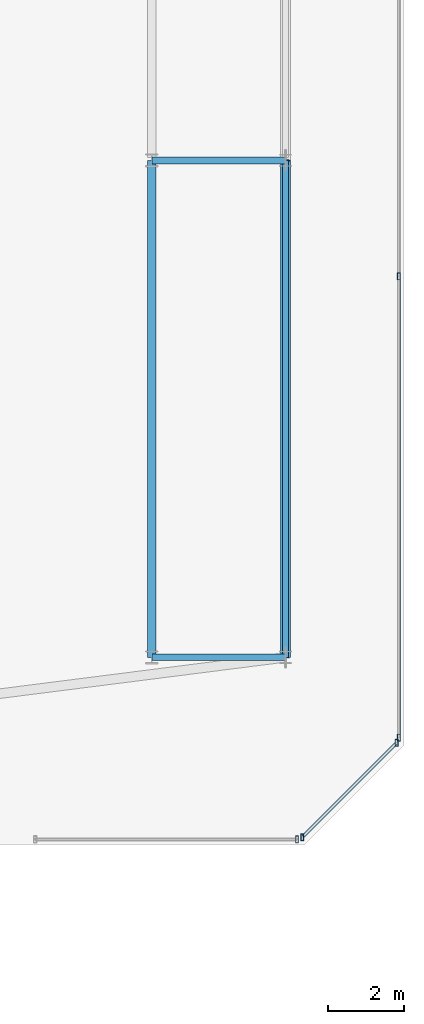
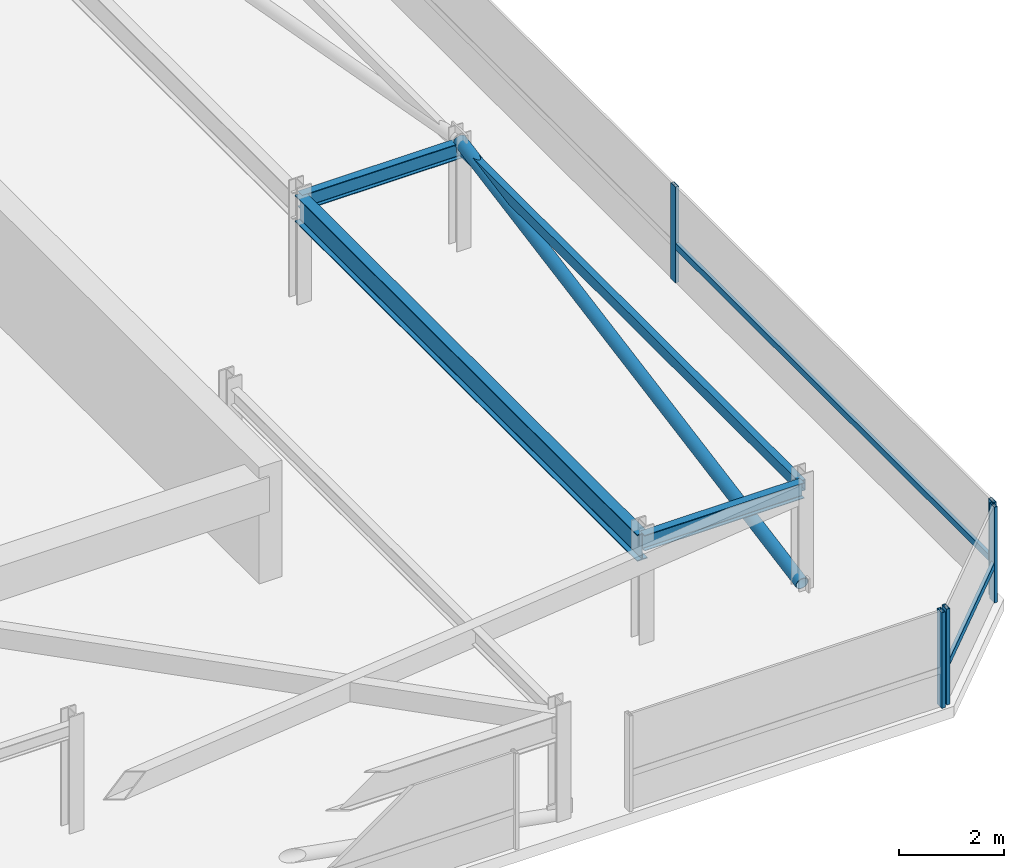
# One storey, part 31 of 42: 8 members, 4 beams, 3 elements without a shape of their own.
"""IFC4 building model written with IfcOpenShell, lengths in metres."""

from ifc_helpers import new_model, si_unit, direction, frame, origin, origin_2d, place, context, subcontext, project, spatial, hollow_rectangle, hollow_circle, i_section, extrude, material, material_profile, profile_set, type_object, element, aggregate, save


model = new_model("IFC4")

# Units and contexts
model_context = context("Model", 3, precision=1e-05, world=origin(), true_north=direction((0.0, 1.0)))
body_context = subcontext(model_context, "Body", "Model", "MODEL_VIEW")
ifc_project = project(units=[si_unit("LENGTHUNIT", "METRE"), si_unit("AREAUNIT", "SQUARE_METRE"), si_unit("VOLUMEUNIT", "CUBIC_METRE"), si_unit("PLANEANGLEUNIT", "RADIAN"), si_unit("MASSUNIT", "GRAM", prefix="KILO")], contexts=[model_context])

# Site, building, storey
site_placement = place(None, origin())
site = spatial("IfcSite", under=ifc_project, at=site_placement, CompositionType="ELEMENT")
building_placement = place(site_placement, origin())
building = spatial("IfcBuilding", under=site, at=building_placement, Name="Thornwick Lancets Civic Towers", CompositionType="ELEMENT")
storey_placement = place(building_placement, frame((0.0, 0.0, 289.5)))
storey = spatial("IfcBuildingStorey", under=building, at=storey_placement, Name="C04", CompositionType="ELEMENT", Elevation=289.5)

# Beams
ifc_material_1 = material(Name="Steel S355JR", Category="steel")
ifc_material_profile_1 = material_profile(ifc_material_1, hollow_rectangle(XDim=0.14990234375, YDim=0.25, WallThickness=0.012451171875, at=origin_2d()), Name="RHS 250x150x12.5")
ifc_profile_set_1 = profile_set([ifc_material_profile_1], Name="Steel S355JR")
beam_type_1 = type_object("IfcBeamType", Name="BM_CROWN_RHS250", PredefinedType="BEAM", material=ifc_profile_set_1)
beam_1_placement = place(storey_placement, frame((109.300048828125, 14.0, 2.31494140625), z_axis=(0.0, 1.0, 0.0), x_axis=(-1.0, 0.0, 0.0)))
element("IfcBeam", 1, at=beam_1_placement, inside=storey, type_object=beam_type_1, Name="BM-EDGE-C04-B-S0-1", PredefinedType="BEAM", context=body_context, shape_type="SweptSolid", body=[
    extrude(hollow_rectangle(XDim=0.14990234375, YDim=0.25, WallThickness=0.012451171875, at=origin_2d()), origin(), (0.0, 0.0, 1.0), 13.0),
])
ifc_material_profile_2 = material_profile(ifc_material_1, i_section(OverallWidth=0.230224609375, OverallDepth=0.6171875, WebThickness=0.01318359375, FlangeThickness=0.022216796875, FilletRadius=0.0126953125, at=origin_2d()), Name="UKB 610x229x140")
ifc_profile_set_2 = profile_set([ifc_material_profile_2], Name="Steel S355JR")
beam_type_2 = type_object("IfcBeamType", Name="BM_GIRD_610_140", PredefinedType="BEAM", material=ifc_profile_set_2)
beam_2_placement = place(storey_placement, frame((105.800048828125, 14.0, 2.13134765625), z_axis=(0.0, 1.0, 0.0), x_axis=(-1.0, 0.0, 0.0)))
element("IfcBeam", 2, at=beam_2_placement, inside=storey, type_object=beam_type_2, Name="BM-SPINE-C04-B-0-1", PredefinedType="BEAM", context=body_context, shape_type="SweptSolid", body=[
    extrude(i_section(OverallWidth=0.230224609375, OverallDepth=0.6171875, WebThickness=0.01318359375, FlangeThickness=0.022216796875, FilletRadius=0.0126953125, at=origin_2d()), origin(), (0.0, 0.0, 1.0), 13.0),
])
ifc_material_profile_3 = material_profile(ifc_material_1, i_section(OverallWidth=0.173095703125, OverallDepth=0.36328125, WebThickness=0.009033203125, FlangeThickness=0.015625, FilletRadius=0.01025390625, at=origin_2d()), Name="UKB 356x171x67")
ifc_profile_set_3 = profile_set([ifc_material_profile_3], Name="Steel S355JR")
beam_type_3 = type_object("IfcBeamType", Name="BM_JOIST_356_67", PredefinedType="JOIST", material=ifc_profile_set_3)
for number, where, z_axis, x_axis, name in (
    (3, (105.800048828125, 14.0, 2.25830078125), (1.0, 0.0, 0.0), (0.0, 1.0, 0.0), "BM-RAD-C04-B01"),
    (4, (105.800048828125, 27.0, 2.25830078125), (1.0, 0.0, 0.0), (0.0, 1.0, 0.0), "BM-RAD-C04-B02"),
):
    element("IfcBeam", number, at=place(storey_placement, frame(where, z_axis=z_axis, x_axis=x_axis)), inside=storey, type_object=beam_type_3, Name=name, PredefinedType="JOIST", context=body_context, shape_type="SweptSolid", body=[
        extrude(i_section(OverallWidth=0.173095703125, OverallDepth=0.36328125, WebThickness=0.009033203125, FlangeThickness=0.015625, FilletRadius=0.01025390625, at=origin_2d()), origin(), (0.0, 0.0, 1.0), 3.5),
    ])

# Curtain wall, member
ifc_material_2 = material(Name="Crown ring acoustic-louvre and glazing screen wall", Category="glass")
curtain_wall_type = type_object("IfcCurtainWallType", Name="CW_SYS_07", PredefinedType="NOTDEFINED", material=ifc_material_2)
curtain_wall_1_placement = place(storey_placement, origin())
curtain_wall_1 = element("IfcCurtainWall", 5, at=curtain_wall_1_placement, inside=storey, type_object=curtain_wall_type, Name="C04 Curtain Wall CW-C04-B-E0-S3", PredefinedType="NOTDEFINED")
ifc_material_3 = material(Name="Thermally broken bronze aluminium S355", Category="steel")
ifc_material_profile_4 = material_profile(ifc_material_3, hollow_rectangle(XDim=0.074951171875, YDim=0.179931640625, WallThickness=0.006103515625, at=origin_2d()), Name="RHS 180x75x6")
ifc_profile_set_4 = profile_set([ifc_material_profile_4], Name="Thermally broken bronze aluminium S355")
member_type_1 = type_object("IfcMemberType", Name="CW_MUL_180", PredefinedType="MULLION", material=ifc_profile_set_4)
member_1_placement = place(storey_placement, frame((109.601318359375, 9.2353515625, 0.0), z_axis=(0.0, 0.0, 1.0), x_axis=(1.0, 0.0, 0.0)))
member_1 = element("IfcMember", 6, at=member_1_placement, type_object=member_type_1, Name="CW-C04-B-E0-S3 Mullion 1", PredefinedType="MULLION", context=body_context, shape_type="SweptSolid", body=[
    extrude(hollow_rectangle(XDim=0.074951171875, YDim=0.179931640625, WallThickness=0.006103515625, at=origin_2d()), origin(), (0.0, 0.0, 1.0), 2.219970703125),
])
aggregate(curtain_wall_1, [member_1])

# Curtain wall, members
curtain_wall_2_placement = place(storey_placement, origin())
curtain_wall_2 = element("IfcCurtainWall", 7, at=curtain_wall_2_placement, inside=storey, type_object=curtain_wall_type, Name="C04 Curtain Wall CW-C04-B-E1", PredefinedType="NOTDEFINED")
member_2_placement = place(storey_placement, frame((109.738037109375, 9.2919921875, 0.0), z_axis=(0.0, 0.0, 1.0), x_axis=(1.0, 0.0, 0.0)))
member_2 = element("IfcMember", 8, at=member_2_placement, type_object=member_type_1, Name="CW-C04-B-E1 Mullion 0", PredefinedType="MULLION", context=body_context, shape_type="SweptSolid", body=[
    extrude(hollow_rectangle(XDim=0.074951171875, YDim=0.179931640625, WallThickness=0.006103515625, at=origin_2d()), origin(), (0.0, 0.0, 1.0), 2.219970703125),
])
member_3_placement = place(storey_placement, frame((112.2080078125, 11.761962890625, 0.0), z_axis=(0.0, 0.0, 1.0), x_axis=(1.0, 0.0, 0.0)))
member_3 = element("IfcMember", 9, at=member_3_placement, type_object=member_type_1, Name="CW-C04-B-E1 Mullion 1", PredefinedType="MULLION", context=body_context, shape_type="SweptSolid", body=[
    extrude(hollow_rectangle(XDim=0.074951171875, YDim=0.179931640625, WallThickness=0.006103515625, at=origin_2d()), origin(), (0.0, 0.0, 1.0), 2.219970703125),
])

curtain_wall_3_placement = place(storey_placement, origin())
curtain_wall_3 = element("IfcCurtainWall", 10, at=curtain_wall_3_placement, inside=storey, type_object=curtain_wall_type, Name="C04 Curtain Wall CW-C04-B-E2", PredefinedType="NOTDEFINED")
member_4_placement = place(storey_placement, frame((112.2646484375, 11.898681640625, 0.0), z_axis=(0.0, 0.0, 1.0), x_axis=(1.0, 0.0, 0.0)))
member_4 = element("IfcMember", 11, at=member_4_placement, type_object=member_type_1, Name="CW-C04-B-E2 Mullion 0", PredefinedType="MULLION", context=body_context, shape_type="SweptSolid", body=[
    extrude(hollow_rectangle(XDim=0.074951171875, YDim=0.179931640625, WallThickness=0.006103515625, at=origin_2d()), origin(), (0.0, 0.0, 1.0), 2.219970703125),
])
member_5_placement = place(storey_placement, frame((112.2646484375, 23.96630859375, 0.0), z_axis=(0.0, 0.0, 1.0), x_axis=(1.0, 0.0, 0.0)))
member_5 = element("IfcMember", 12, at=member_5_placement, type_object=member_type_1, Name="CW-C04-B-E2 Mullion 1", PredefinedType="MULLION", context=body_context, shape_type="SweptSolid", body=[
    extrude(hollow_rectangle(XDim=0.074951171875, YDim=0.179931640625, WallThickness=0.006103515625, at=origin_2d()), origin(), (0.0, 0.0, 1.0), 2.219970703125),
])

# Member
ifc_material_profile_5 = material_profile(ifc_material_3, hollow_rectangle(XDim=0.074951171875, YDim=0.14990234375, WallThickness=0.0048828125, at=origin_2d()), Name="RHS 150x75x5")
ifc_profile_set_5 = profile_set([ifc_material_profile_5], Name="Thermally broken bronze aluminium S355")
member_type_2 = type_object("IfcMemberType", Name="CW_TRN_150", PredefinedType="USERDEFINED", material=ifc_profile_set_5)
member_6_placement = place(storey_placement, frame((109.752197265625, 9.30615234375, 0.85009765625), z_axis=(0.707106781187, 0.707106781187, 0.0), x_axis=(-0.707106781187, 0.707106781187, 0.0)))
member_6 = element("IfcMember", 13, at=member_6_placement, type_object=member_type_2, Name="CW-C04-B-E1 Transom 0", ObjectType="TRANSOM", PredefinedType="USERDEFINED", context=body_context, shape_type="SweptSolid", body=[
    extrude(hollow_rectangle(XDim=0.074951171875, YDim=0.14990234375, WallThickness=0.0048828125, at=origin_2d()), origin(), (0.0, 0.0, 1.0), 3.453125),
])

aggregate(curtain_wall_2, [member_2, member_3, member_6])

member_7_placement = place(storey_placement, frame((112.2646484375, 11.918701171875, 0.85009765625), z_axis=(0.0, 1.0, 0.0), x_axis=(-1.0, 0.0, 0.0)))
member_7 = element("IfcMember", 14, at=member_7_placement, type_object=member_type_2, Name="CW-C04-B-E2 Transom 0", ObjectType="TRANSOM", PredefinedType="USERDEFINED", context=body_context, shape_type="SweptSolid", body=[
    extrude(hollow_rectangle(XDim=0.074951171875, YDim=0.14990234375, WallThickness=0.0048828125, at=origin_2d()), origin(), (0.0, 0.0, 1.0), 12.027587890625),
])

aggregate(curtain_wall_3, [member_4, member_5, member_7])

ifc_material_profile_6 = material_profile(ifc_material_1, hollow_circle(Radius=0.136474609375, WallThickness=0.012451171875, at=origin_2d()), Name="CHS 273x12.5")
ifc_profile_set_6 = profile_set([ifc_material_profile_6], Name="Steel S355JR")
member_type_3 = type_object("IfcMemberType", Name="MEM_CROWN_CHS273", PredefinedType="BRACE", material=ifc_profile_set_6)
member_8_placement = place(storey_placement, frame((109.300048828125, 14.0, 0.050048828125), z_axis=(0.0, 0.98351842104, 0.180807951915), x_axis=(-1.0, 0.0, 0.0)))
element("IfcMember", 15, at=member_8_placement, inside=storey, type_object=member_type_3, Name="C04 Crown Ring Lancet Rib B-S0-L", PredefinedType="BRACE", context=body_context, shape_type="SweptSolid", body=[
    extrude(hollow_circle(Radius=0.136474609375, WallThickness=0.012451171875, at=origin_2d()), origin(), (0.0, 0.0, 1.0), 13.2177734375),
])

save(model, "model.ifc")
